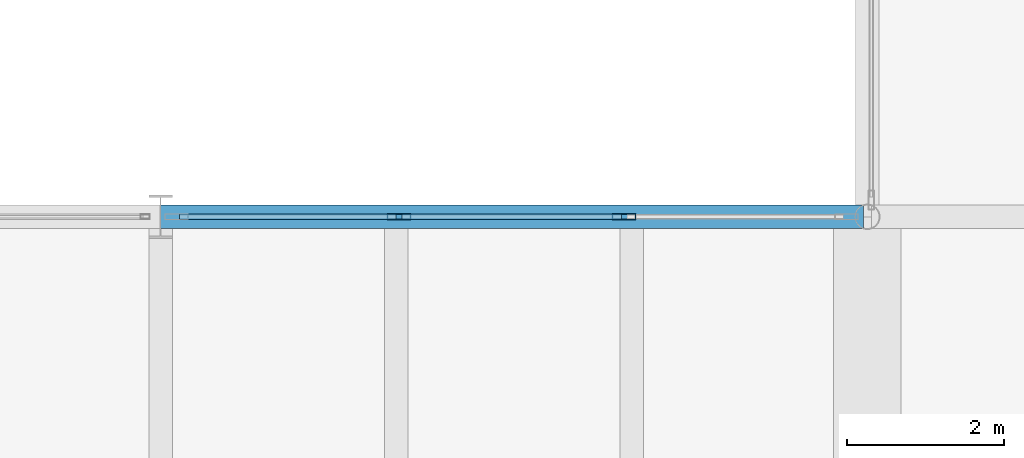
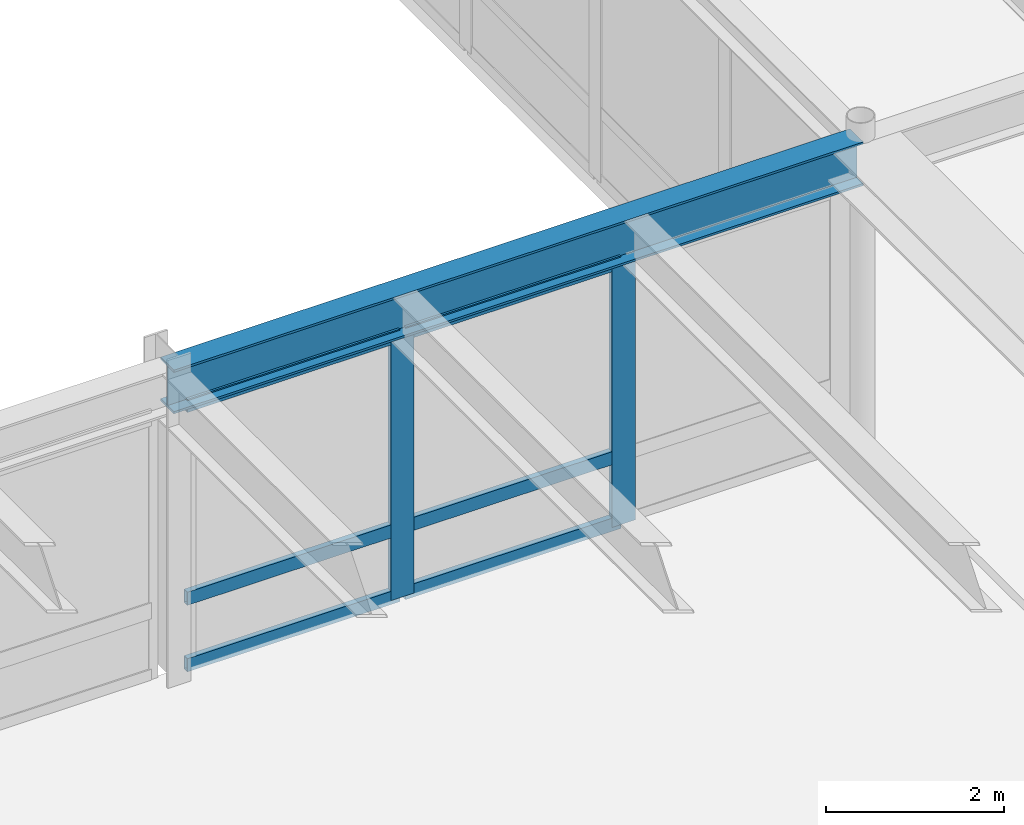
# One storey, part 36 of 127: 8 members, 1 beam, 1 element without a shape of its own.
"""IFC4 building model written with IfcOpenShell, lengths in metres."""

from ifc_helpers import new_model, si_unit, direction, frame, origin, origin_2d, place, context, subcontext, project, spatial, hollow_rectangle, i_section, extrude, material, layer, layer_set, material_profile, profile_set, type_object, element, aggregate, save


model = new_model("IFC4")

# Units and contexts
model_context = context("Model", 3, precision=1e-05, world=origin(), true_north=direction((0.0, 1.0)))
body_context = subcontext(model_context, "Body", "Model", "MODEL_VIEW")
ifc_project = project(units=[si_unit("LENGTHUNIT", "METRE"), si_unit("AREAUNIT", "SQUARE_METRE"), si_unit("VOLUMEUNIT", "CUBIC_METRE"), si_unit("PLANEANGLEUNIT", "RADIAN"), si_unit("MASSUNIT", "GRAM", prefix="KILO")], contexts=[model_context])

# Site, building, storey
site_placement = place(None, origin())
site = spatial("IfcSite", under=ifc_project, at=site_placement, CompositionType="ELEMENT")
building_placement = place(site_placement, origin())
building = spatial("IfcBuilding", under=site, at=building_placement, Name="Montelvaro Courts of Justice", CompositionType="ELEMENT")
storey_placement = place(building_placement, frame((0.0, 0.0, 5.39990234375)))
storey = spatial("IfcBuildingStorey", under=building, at=storey_placement, Name="L01", CompositionType="ELEMENT", Elevation=5.39990234375)

# Beam
ifc_material_1 = material(Name="Steel S355", Category="steel")
ifc_material_profile_1 = material_profile(ifc_material_1, i_section(OverallWidth=0.300048828125, OverallDepth=0.60009765625, WebThickness=0.015380859375, FlangeThickness=0.030029296875, at=origin_2d()), Name="HEB 600")
ifc_profile_set_1 = profile_set([ifc_material_profile_1], Name="Steel S355")
beam_type = type_object("IfcBeamType", Name="Beam_HEB600", PredefinedType="USERDEFINED", material=ifc_profile_set_1)
beam_placement = place(storey_placement, frame((90.0, 42.0, 3.940185546875), z_axis=(1.0, 0.0, 0.0), x_axis=(0.0, 1.0, 0.0)))
element("IfcBeam", 1, at=beam_placement, inside=storey, type_object=beam_type, Name="Beam B-26 L01", ObjectType="GIRDER", PredefinedType="USERDEFINED", context=body_context, shape_type="SweptSolid", body=[
    extrude(i_section(OverallWidth=0.300048828125, OverallDepth=0.60009765625, WebThickness=0.015380859375, FlangeThickness=0.030029296875, at=origin_2d()), origin(), (0.0, 0.0, 1.0), 8.949951171875),
])

# Curtain wall, members
ifc_material_2 = material(Name="Anodised aluminium EN AW-6063", Category="aluminium")
ifc_layer = layer(ifc_material_2, 0.159912109375)
ifc_layer_set = layer_set([ifc_layer], Name="Anodised aluminium EN AW-6063")
curtain_wall_type = type_object("IfcCurtainWallType", Name="CurtainWall_17_861x418", PredefinedType="USERDEFINED", material=ifc_layer_set)
curtain_wall_placement = place(storey_placement, origin())
curtain_wall = element("IfcCurtainWall", 2, at=curtain_wall_placement, inside=storey, type_object=curtain_wall_type, Name="Curtain Wall CW-17 (L01)", ObjectType="CURTAIN WALL", PredefinedType="USERDEFINED")
ifc_material_profile_2 = material_profile(ifc_material_2, hollow_rectangle(XDim=0.074951171875, YDim=0.300048828125, WallThickness=0.006103515625, at=origin_2d()), Name="ALU-M 75x300")
ifc_profile_set_2 = profile_set([ifc_material_profile_2], Name="Anodised aluminium EN AW-6063")
member_type_1 = type_object("IfcMemberType", Name="CurtainWall_Mullion_75x300", PredefinedType="MULLION", material=ifc_profile_set_2)
member_1_placement = place(storey_placement, frame((95.903564453125, 42.0, 0.0), z_axis=(0.0, 0.0, 1.0), x_axis=(0.0, -1.0, 0.0)))
member_1 = element("IfcMember", 3, at=member_1_placement, type_object=member_type_1, Name="CW-17 mullion 2", PredefinedType="MULLION", context=body_context, shape_type="SweptSolid", body=[
    extrude(hollow_rectangle(XDim=0.074951171875, YDim=0.300048828125, WallThickness=0.006103515625, at=origin_2d()), origin(), (0.0, 0.0, 1.0), 3.635009765625),
])
member_2_placement = place(storey_placement, frame((93.034423828125, 42.0, 0.0), z_axis=(0.0, 0.0, 1.0), x_axis=(0.0, -1.0, 0.0)))
member_2 = element("IfcMember", 4, at=member_2_placement, type_object=member_type_1, Name="CW-17 mullion 3", PredefinedType="MULLION", context=body_context, shape_type="SweptSolid", body=[
    extrude(hollow_rectangle(XDim=0.074951171875, YDim=0.300048828125, WallThickness=0.006103515625, at=origin_2d()), origin(), (0.0, 0.0, 1.0), 3.635009765625),
])
ifc_material_profile_3 = material_profile(ifc_material_2, hollow_rectangle(XDim=0.074951171875, YDim=0.179931640625, WallThickness=0.0048828125, at=origin_2d()), Name="ALU-T 75x180")
ifc_profile_set_3 = profile_set([ifc_material_profile_3], Name="Anodised aluminium EN AW-6063")
member_type_2 = type_object("IfcMemberType", Name="CurtainWall_Transom_75x180", PredefinedType="USERDEFINED", material=ifc_profile_set_3)
member_3_placement = place(storey_placement, frame((95.8662109375, 42.0, 0.03759765625), z_axis=(-1.0, 0.0, 0.0), x_axis=(0.0, -1.0, 0.0)))
member_3 = element("IfcMember", 5, at=member_3_placement, type_object=member_type_2, Name="CW-17 transom 2.1", ObjectType="TRANSOM", PredefinedType="USERDEFINED", context=body_context, shape_type="SweptSolid", body=[
    extrude(hollow_rectangle(XDim=0.074951171875, YDim=0.179931640625, WallThickness=0.0048828125, at=origin_2d()), origin(), (0.0, 0.0, 1.0), 2.79443359375),
])
member_4_placement = place(storey_placement, frame((95.8662109375, 42.0, 0.9501953125), z_axis=(-1.0, 0.0, 0.0), x_axis=(0.0, -1.0, 0.0)))
member_4 = element("IfcMember", 6, at=member_4_placement, type_object=member_type_2, Name="CW-17 transom 2.2", ObjectType="TRANSOM", PredefinedType="USERDEFINED", context=body_context, shape_type="SweptSolid", body=[
    extrude(hollow_rectangle(XDim=0.074951171875, YDim=0.179931640625, WallThickness=0.0048828125, at=origin_2d()), origin(), (0.0, 0.0, 1.0), 2.79443359375),
])
member_5_placement = place(storey_placement, frame((95.8662109375, 42.0, 3.59765625), z_axis=(-1.0, 0.0, 0.0), x_axis=(0.0, -1.0, 0.0)))
member_5 = element("IfcMember", 7, at=member_5_placement, type_object=member_type_2, Name="CW-17 transom 2.3", ObjectType="TRANSOM", PredefinedType="USERDEFINED", context=body_context, shape_type="SweptSolid", body=[
    extrude(hollow_rectangle(XDim=0.074951171875, YDim=0.179931640625, WallThickness=0.0048828125, at=origin_2d()), origin(), (0.0, 0.0, 1.0), 2.79443359375),
])
member_6_placement = place(storey_placement, frame((92.996826171875, 42.0, 0.03759765625), z_axis=(-1.0, 0.0, 0.0), x_axis=(0.0, -1.0, 0.0)))
member_6 = element("IfcMember", 8, at=member_6_placement, type_object=member_type_2, Name="CW-17 transom 3.1", ObjectType="TRANSOM", PredefinedType="USERDEFINED", context=body_context, shape_type="SweptSolid", body=[
    extrude(hollow_rectangle(XDim=0.074951171875, YDim=0.179931640625, WallThickness=0.0048828125, at=origin_2d()), origin(), (0.0, 0.0, 1.0), 2.7568359375),
])
member_7_placement = place(storey_placement, frame((92.996826171875, 42.0, 0.9501953125), z_axis=(-1.0, 0.0, 0.0), x_axis=(0.0, -1.0, 0.0)))
member_7 = element("IfcMember", 9, at=member_7_placement, type_object=member_type_2, Name="CW-17 transom 3.2", ObjectType="TRANSOM", PredefinedType="USERDEFINED", context=body_context, shape_type="SweptSolid", body=[
    extrude(hollow_rectangle(XDim=0.074951171875, YDim=0.179931640625, WallThickness=0.0048828125, at=origin_2d()), origin(), (0.0, 0.0, 1.0), 2.7568359375),
])
member_8_placement = place(storey_placement, frame((92.996826171875, 42.0, 3.59765625), z_axis=(-1.0, 0.0, 0.0), x_axis=(0.0, -1.0, 0.0)))
member_8 = element("IfcMember", 10, at=member_8_placement, type_object=member_type_2, Name="CW-17 transom 3.3", ObjectType="TRANSOM", PredefinedType="USERDEFINED", context=body_context, shape_type="SweptSolid", body=[
    extrude(hollow_rectangle(XDim=0.074951171875, YDim=0.179931640625, WallThickness=0.0048828125, at=origin_2d()), origin(), (0.0, 0.0, 1.0), 2.7568359375),
])
aggregate(curtain_wall, [member_1, member_2, member_3, member_4, member_5, member_6, member_7, member_8])

save(model, "model.ifc")
